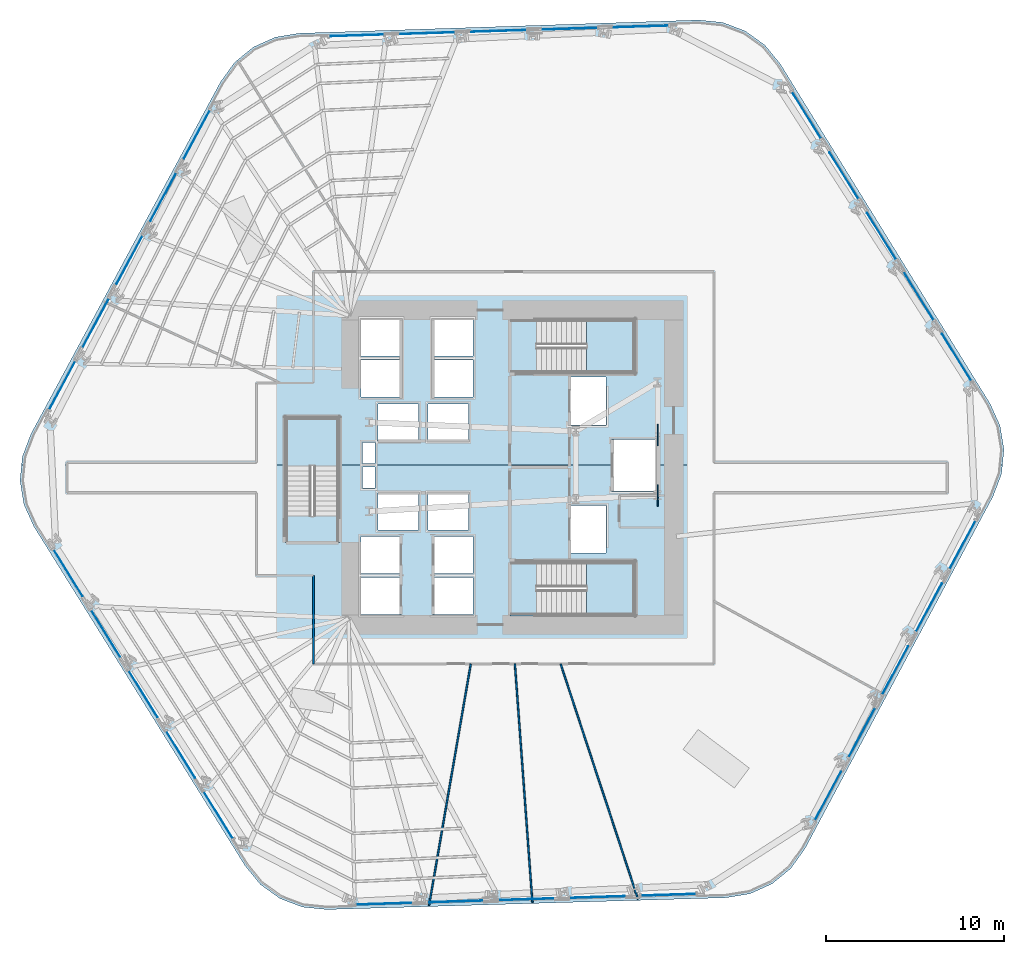
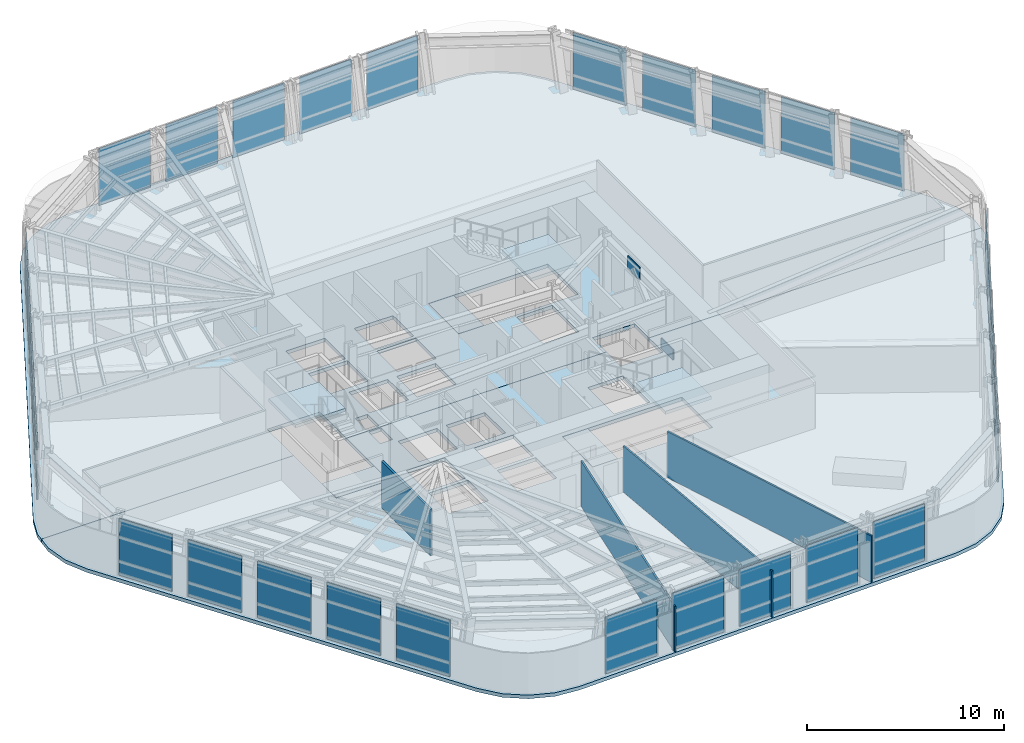
# One storey, part 7 of 15: 32 plates, 8 slabs, 4 walls, 9 elements without a shape of their own.
"""IFC4 building model written with IfcOpenShell, lengths in metres."""

from ifc_helpers import new_model, si_unit, direction, frame, frame_2d, origin, origin_2d, place, context, subcontext, project, spatial, polyline, rectangle, outline, extrude, material, layer, layer_set, type_object, element, aggregate, save


model = new_model("IFC4")

# Units and contexts
model_context = context("Model", 3, precision=1e-05, world=origin(), true_north=direction((0.0, 1.0)))
body_context = subcontext(model_context, "Body", "Model", "MODEL_VIEW")
ifc_project = project(units=[si_unit("LENGTHUNIT", "METRE"), si_unit("AREAUNIT", "SQUARE_METRE"), si_unit("VOLUMEUNIT", "CUBIC_METRE"), si_unit("PLANEANGLEUNIT", "RADIAN"), si_unit("MASSUNIT", "GRAM", prefix="KILO")], contexts=[model_context])

# Site, building, storey
site_placement = place(None, origin())
site = spatial("IfcSite", under=ifc_project, at=site_placement, CompositionType="ELEMENT")
building_placement = place(site_placement, origin())
building = spatial("IfcBuilding", under=site, at=building_placement, Name="Valkerne Bourse Tower", CompositionType="ELEMENT")
storey_placement = place(building_placement, frame((0.0, 0.0, 31.60009765625)))
storey = spatial("IfcBuildingStorey", under=building, at=storey_placement, Name="L07", CompositionType="ELEMENT", Elevation=31.60009765625)

# Curtain wall, plates
ifc_material_1 = material(Name="Aluminium AA 6063-T6", Category="aluminium")
ifc_layer_1 = layer(ifc_material_1, 0.22509765625)
ifc_layer_set_1 = layer_set([ifc_layer_1], Name="Aluminium AA 6063-T6")
curtain_wall_type = type_object("IfcCurtainWallType", Name="CW-01", PredefinedType="NOTDEFINED", material=ifc_layer_set_1)
curtain_wall_1_placement = place(storey_placement, origin())
curtain_wall_1 = element("IfcCurtainWall", 1, at=curtain_wall_1_placement, inside=storey, type_object=curtain_wall_type, Name="L07 Hexagonal Stick Curtain Wall Face 1", PredefinedType="NOTDEFINED")
ifc_material_2 = material(Name="Glass IGU Low-E Double Glazed", Category="glass")
ifc_layer_2 = layer(ifc_material_2, 0.031982421875)
ifc_layer_set_2 = layer_set([ifc_layer_2], Name="Glass IGU Low-E Double Glazed")
plate_type_1 = type_object("IfcPlateType", Name="CW-PNL-IGU-32", PredefinedType="CURTAIN_PANEL", material=ifc_layer_set_2)
plate_1_placement = place(storey_placement, frame((71.72509765625, 33.05078125, 0.02978515625), z_axis=(0.0, 0.0, 1.0), x_axis=(-0.526949791595, 0.849896415534, 0.0)))
plate_1 = element("IfcPlate", 2, at=plate_1_placement, type_object=plate_type_1, Name="CW-L07-F1 Curtain Panel 00", PredefinedType="CURTAIN_PANEL", context=body_context, shape_type="SweptSolid", body=[
    extrude(rectangle(XDim=3.075927734375, YDim=0.031982421875, at=origin_2d()), origin(), (0.0, 0.0, 1.0), 3.52001953125),
])
plate_2_placement = place(storey_placement, frame((69.619384765625, 36.447021484375, 0.02978515625), z_axis=(0.0, 0.0, 1.0), x_axis=(-0.52696099926, 0.849889466495, 0.0)))
plate_2 = element("IfcPlate", 3, at=plate_2_placement, type_object=plate_type_1, Name="CW-L07-F1 Curtain Panel 01", PredefinedType="CURTAIN_PANEL", context=body_context, shape_type="SweptSolid", body=[
    extrude(rectangle(XDim=3.075927734375, YDim=0.031982421875, at=origin_2d()), origin(), (0.0, 0.0, 1.0), 3.52001953125),
])
plate_3_placement = place(storey_placement, frame((67.513671875, 39.843017578125, 0.02978515625), z_axis=(0.0, 0.0, 1.0), x_axis=(-0.52696786733, 0.849885208014, 0.0)))
plate_3 = element("IfcPlate", 4, at=plate_3_placement, type_object=plate_type_1, Name="CW-L07-F1 Curtain Panel 02", PredefinedType="CURTAIN_PANEL", context=body_context, shape_type="SweptSolid", body=[
    extrude(rectangle(XDim=3.075927734375, YDim=0.031982421875, at=origin_2d()), origin(), (0.0, 0.0, 1.0), 3.52001953125),
])
plate_4_placement = place(storey_placement, frame((65.407958984375, 43.2392578125, 0.02978515625), z_axis=(0.0, 0.0, 1.0), x_axis=(-0.526949791595, 0.849896415534, 0.0)))
plate_4 = element("IfcPlate", 5, at=plate_4_placement, type_object=plate_type_1, Name="CW-L07-F1 Curtain Panel 03", PredefinedType="CURTAIN_PANEL", context=body_context, shape_type="SweptSolid", body=[
    extrude(rectangle(XDim=3.075927734375, YDim=0.031982421875, at=origin_2d()), origin(), (0.0, 0.0, 1.0), 3.52001953125),
])
plate_5_placement = place(storey_placement, frame((63.30224609375, 46.635498046875, 0.02978515625), z_axis=(0.0, 0.0, 1.0), x_axis=(-0.52696099926, 0.849889466495, 0.0)))
plate_5 = element("IfcPlate", 6, at=plate_5_placement, type_object=plate_type_1, Name="CW-L07-F1 Curtain Panel 04", PredefinedType="CURTAIN_PANEL", context=body_context, shape_type="SweptSolid", body=[
    extrude(rectangle(XDim=3.075927734375, YDim=0.031982421875, at=origin_2d()), origin(), (0.0, 0.0, 1.0), 3.52001953125),
])
aggregate(curtain_wall_1, [plate_1, plate_2, plate_3, plate_4, plate_5])

curtain_wall_2_placement = place(storey_placement, origin())
curtain_wall_2 = element("IfcCurtainWall", 7, at=curtain_wall_2_placement, inside=storey, type_object=curtain_wall_type, Name="L07 Hexagonal Stick Curtain Wall Face 2", PredefinedType="NOTDEFINED")
plate_6_placement = place(storey_placement, frame((54.0224609375, 51.611083984375, 0.02978515625), z_axis=(0.0, 0.0, 1.0), x_axis=(-0.999506690045, -0.031406632347, 0.0)))
plate_6 = element("IfcPlate", 8, at=plate_6_placement, type_object=plate_type_1, Name="CW-L07-F2 Curtain Panel 00", PredefinedType="CURTAIN_PANEL", context=body_context, shape_type="SweptSolid", body=[
    extrude(rectangle(XDim=3.075927734375, YDim=0.031982421875, at=origin_2d()), origin(), (0.0, 0.0, 1.0), 3.52001953125),
])
plate_7_placement = place(storey_placement, frame((50.0283203125, 51.485595703125, 0.02978515625), z_axis=(0.0, 0.0, 1.0), x_axis=(-0.999506714728, -0.031405846795, 0.0)))
plate_7 = element("IfcPlate", 9, at=plate_7_placement, type_object=plate_type_1, Name="CW-L07-F2 Curtain Panel 01", PredefinedType="CURTAIN_PANEL", context=body_context, shape_type="SweptSolid", body=[
    extrude(rectangle(XDim=3.076171875, YDim=0.031982421875, at=origin_2d()), origin(), (0.0, 0.0, 1.0), 3.52001953125),
])
plate_8_placement = place(storey_placement, frame((46.034423828125, 51.360107421875, 0.02978515625), z_axis=(0.0, 0.0, 1.0), x_axis=(-0.999506690045, -0.031406632347, 0.0)))
plate_8 = element("IfcPlate", 10, at=plate_8_placement, type_object=plate_type_1, Name="CW-L07-F2 Curtain Panel 02", PredefinedType="CURTAIN_PANEL", context=body_context, shape_type="SweptSolid", body=[
    extrude(rectangle(XDim=3.075927734375, YDim=0.031982421875, at=origin_2d()), origin(), (0.0, 0.0, 1.0), 3.52001953125),
])
plate_9_placement = place(storey_placement, frame((42.040283203125, 51.234619140625, 0.02978515625), z_axis=(0.0, 0.0, 1.0), x_axis=(-0.999506690045, -0.031406632347, 0.0)))
plate_9 = element("IfcPlate", 11, at=plate_9_placement, type_object=plate_type_1, Name="CW-L07-F2 Curtain Panel 03", PredefinedType="CURTAIN_PANEL", context=body_context, shape_type="SweptSolid", body=[
    extrude(rectangle(XDim=3.075927734375, YDim=0.031982421875, at=origin_2d()), origin(), (0.0, 0.0, 1.0), 3.52001953125),
])
plate_10_placement = place(storey_placement, frame((38.04638671875, 51.109130859375, 0.02978515625), z_axis=(0.0, 0.0, 1.0), x_axis=(-0.999506690045, -0.031406632347, 0.0)))
plate_10 = element("IfcPlate", 12, at=plate_10_placement, type_object=plate_type_1, Name="CW-L07-F2 Curtain Panel 04", PredefinedType="CURTAIN_PANEL", context=body_context, shape_type="SweptSolid", body=[
    extrude(rectangle(XDim=3.075927734375, YDim=0.031982421875, at=origin_2d()), origin(), (0.0, 0.0, 1.0), 3.52001953125),
])
aggregate(curtain_wall_2, [plate_6, plate_7, plate_8, plate_9, plate_10])

curtain_wall_3_placement = place(storey_placement, origin())
curtain_wall_3 = element("IfcCurtainWall", 13, at=curtain_wall_3_placement, inside=storey, type_object=curtain_wall_type, Name="L07 Hexagonal Stick Curtain Wall Face 3", PredefinedType="NOTDEFINED")
plate_11_placement = place(storey_placement, frame((29.097412109375, 45.560546875, 0.02978515625), z_axis=(0.0, 0.0, 1.0), x_axis=(-0.472547077315, -0.881305429304, 0.0)))
plate_11 = element("IfcPlate", 14, at=plate_11_placement, type_object=plate_type_1, Name="CW-L07-F3 Curtain Panel 00", PredefinedType="CURTAIN_PANEL", context=body_context, shape_type="SweptSolid", body=[
    extrude(rectangle(XDim=3.075927734375, YDim=0.031982421875, at=origin_2d()), origin(), (0.0, 0.0, 1.0), 3.52001953125),
])
plate_12_placement = place(storey_placement, frame((27.208984375, 42.038818359375, 0.02978515625), z_axis=(0.0, 0.0, 1.0), x_axis=(-0.472547077315, -0.881305429304, 0.0)))
plate_12 = element("IfcPlate", 15, at=plate_12_placement, type_object=plate_type_1, Name="CW-L07-F3 Curtain Panel 01", PredefinedType="CURTAIN_PANEL", context=body_context, shape_type="SweptSolid", body=[
    extrude(rectangle(XDim=3.075927734375, YDim=0.031982421875, at=origin_2d()), origin(), (0.0, 0.0, 1.0), 3.52001953125),
])
plate_13_placement = place(storey_placement, frame((25.32080078125, 38.51708984375, 0.02978515625), z_axis=(0.0, 0.0, 1.0), x_axis=(-0.472547077315, -0.881305429304, 0.0)))
plate_13 = element("IfcPlate", 16, at=plate_13_placement, type_object=plate_type_1, Name="CW-L07-F3 Curtain Panel 02", PredefinedType="CURTAIN_PANEL", context=body_context, shape_type="SweptSolid", body=[
    extrude(rectangle(XDim=3.075927734375, YDim=0.031982421875, at=origin_2d()), origin(), (0.0, 0.0, 1.0), 3.52001953125),
])
plate_14_placement = place(storey_placement, frame((23.432373046875, 34.995361328125, 0.02978515625), z_axis=(0.0, 0.0, 1.0), x_axis=(-0.472547077315, -0.881305429304, 0.0)))
plate_14 = element("IfcPlate", 17, at=plate_14_placement, type_object=plate_type_1, Name="CW-L07-F3 Curtain Panel 03", PredefinedType="CURTAIN_PANEL", context=body_context, shape_type="SweptSolid", body=[
    extrude(rectangle(XDim=3.075927734375, YDim=0.031982421875, at=origin_2d()), origin(), (0.0, 0.0, 1.0), 3.52001953125),
])
plate_15_placement = place(storey_placement, frame((21.544189453125, 31.4736328125, 0.02978515625), z_axis=(0.0, 0.0, 1.0), x_axis=(-0.472547077315, -0.881305429304, 0.0)))
plate_15 = element("IfcPlate", 18, at=plate_15_placement, type_object=plate_type_1, Name="CW-L07-F3 Curtain Panel 04", PredefinedType="CURTAIN_PANEL", context=body_context, shape_type="SweptSolid", body=[
    extrude(rectangle(XDim=3.075927734375, YDim=0.031982421875, at=origin_2d()), origin(), (0.0, 0.0, 1.0), 3.52001953125),
])
aggregate(curtain_wall_3, [plate_11, plate_12, plate_13, plate_14, plate_15])

curtain_wall_4_placement = place(storey_placement, origin())
curtain_wall_4 = element("IfcCurtainWall", 19, at=curtain_wall_4_placement, inside=storey, type_object=curtain_wall_type, Name="L07 Hexagonal Stick Curtain Wall Face 4", PredefinedType="NOTDEFINED")
plate_16_placement = place(storey_placement, frame((21.874755859375, 20.94921875, 0.02978515625), z_axis=(0.0, 0.0, 1.0), x_axis=(0.526949791595, -0.849896415534, 0.0)))
plate_16 = element("IfcPlate", 20, at=plate_16_placement, type_object=plate_type_1, Name="CW-L07-F4 Curtain Panel 00", PredefinedType="CURTAIN_PANEL", context=body_context, shape_type="SweptSolid", body=[
    extrude(rectangle(XDim=3.075927734375, YDim=0.031982421875, at=origin_2d()), origin(), (0.0, 0.0, 1.0), 3.52001953125),
])
plate_17_placement = place(storey_placement, frame((23.98046875, 17.552978515625, 0.02978515625), z_axis=(0.0, 0.0, 1.0), x_axis=(0.52696099926, -0.849889466495, 0.0)))
plate_17 = element("IfcPlate", 21, at=plate_17_placement, type_object=plate_type_1, Name="CW-L07-F4 Curtain Panel 01", PredefinedType="CURTAIN_PANEL", context=body_context, shape_type="SweptSolid", body=[
    extrude(rectangle(XDim=3.075927734375, YDim=0.031982421875, at=origin_2d()), origin(), (0.0, 0.0, 1.0), 3.52001953125),
])
plate_18_placement = place(storey_placement, frame((26.086181640625, 14.156982421875, 0.02978515625), z_axis=(0.0, 0.0, 1.0), x_axis=(0.52696786733, -0.849885208014, 0.0)))
plate_18 = element("IfcPlate", 22, at=plate_18_placement, type_object=plate_type_1, Name="CW-L07-F4 Curtain Panel 02", PredefinedType="CURTAIN_PANEL", context=body_context, shape_type="SweptSolid", body=[
    extrude(rectangle(XDim=3.075927734375, YDim=0.031982421875, at=origin_2d()), origin(), (0.0, 0.0, 1.0), 3.52001953125),
])
plate_19_placement = place(storey_placement, frame((28.19189453125, 10.7607421875, 0.02978515625), z_axis=(0.0, 0.0, 1.0), x_axis=(0.526949791595, -0.849896415534, 0.0)))
plate_19 = element("IfcPlate", 23, at=plate_19_placement, type_object=plate_type_1, Name="CW-L07-F4 Curtain Panel 03", PredefinedType="CURTAIN_PANEL", context=body_context, shape_type="SweptSolid", body=[
    extrude(rectangle(XDim=3.075927734375, YDim=0.031982421875, at=origin_2d()), origin(), (0.0, 0.0, 1.0), 3.52001953125),
])
plate_20_placement = place(storey_placement, frame((30.297607421875, 7.364501953125, 0.02978515625), z_axis=(0.0, 0.0, 1.0), x_axis=(0.52696099926, -0.849889466495, 0.0)))
plate_20 = element("IfcPlate", 24, at=plate_20_placement, type_object=plate_type_1, Name="CW-L07-F4 Curtain Panel 04", PredefinedType="CURTAIN_PANEL", context=body_context, shape_type="SweptSolid", body=[
    extrude(rectangle(XDim=3.075927734375, YDim=0.031982421875, at=origin_2d()), origin(), (0.0, 0.0, 1.0), 3.52001953125),
])
aggregate(curtain_wall_4, [plate_16, plate_17, plate_18, plate_19, plate_20])

curtain_wall_5_placement = place(storey_placement, origin())
curtain_wall_5 = element("IfcCurtainWall", 25, at=curtain_wall_5_placement, inside=storey, type_object=curtain_wall_type, Name="L07 Hexagonal Stick Curtain Wall Face 5", PredefinedType="NOTDEFINED")
plate_21_placement = place(storey_placement, frame((39.577392578125, 2.388916015625, 0.02978515625), z_axis=(0.0, 0.0, 1.0), x_axis=(0.999506690045, 0.031406632347, 0.0)))
plate_21 = element("IfcPlate", 26, at=plate_21_placement, type_object=plate_type_1, Name="CW-L07-F5 Curtain Panel 00", PredefinedType="CURTAIN_PANEL", context=body_context, shape_type="SweptSolid", body=[
    extrude(rectangle(XDim=3.075927734375, YDim=0.031982421875, at=origin_2d()), origin(), (0.0, 0.0, 1.0), 3.52001953125),
])
plate_22_placement = place(storey_placement, frame((43.571533203125, 2.514404296875, 0.02978515625), z_axis=(0.0, 0.0, 1.0), x_axis=(0.999506714728, 0.031405846795, 0.0)))
plate_22 = element("IfcPlate", 27, at=plate_22_placement, type_object=plate_type_1, Name="CW-L07-F5 Curtain Panel 01", PredefinedType="CURTAIN_PANEL", context=body_context, shape_type="SweptSolid", body=[
    extrude(rectangle(XDim=3.076171875, YDim=0.031982421875, at=origin_2d()), origin(), (0.0, 0.0, 1.0), 3.52001953125),
])
plate_23_placement = place(storey_placement, frame((47.565673828125, 2.639892578125, 0.02978515625), z_axis=(0.0, 0.0, 1.0), x_axis=(0.999506690045, 0.031406632347, 0.0)))
plate_23 = element("IfcPlate", 28, at=plate_23_placement, type_object=plate_type_1, Name="CW-L07-F5 Curtain Panel 02", PredefinedType="CURTAIN_PANEL", context=body_context, shape_type="SweptSolid", body=[
    extrude(rectangle(XDim=3.075927734375, YDim=0.031982421875, at=origin_2d()), origin(), (0.0, 0.0, 1.0), 3.52001953125),
])
plate_24_placement = place(storey_placement, frame((51.5595703125, 2.765380859375, 0.02978515625), z_axis=(0.0, 0.0, 1.0), x_axis=(0.999506690045, 0.031406632347, 0.0)))
plate_24 = element("IfcPlate", 29, at=plate_24_placement, type_object=plate_type_1, Name="CW-L07-F5 Curtain Panel 03", PredefinedType="CURTAIN_PANEL", context=body_context, shape_type="SweptSolid", body=[
    extrude(rectangle(XDim=3.075927734375, YDim=0.031982421875, at=origin_2d()), origin(), (0.0, 0.0, 1.0), 3.52001953125),
])
plate_25_placement = place(storey_placement, frame((55.5537109375, 2.890869140625, 0.02978515625), z_axis=(0.0, 0.0, 1.0), x_axis=(0.999506690045, 0.031406632347, 0.0)))
plate_25 = element("IfcPlate", 30, at=plate_25_placement, type_object=plate_type_1, Name="CW-L07-F5 Curtain Panel 04", PredefinedType="CURTAIN_PANEL", context=body_context, shape_type="SweptSolid", body=[
    extrude(rectangle(XDim=3.075927734375, YDim=0.031982421875, at=origin_2d()), origin(), (0.0, 0.0, 1.0), 3.52001953125),
])
aggregate(curtain_wall_5, [plate_21, plate_22, plate_23, plate_24, plate_25])

curtain_wall_6_placement = place(storey_placement, origin())
curtain_wall_6 = element("IfcCurtainWall", 31, at=curtain_wall_6_placement, inside=storey, type_object=curtain_wall_type, Name="L07 Hexagonal Stick Curtain Wall Face 6", PredefinedType="NOTDEFINED")
plate_26_placement = place(storey_placement, frame((64.502685546875, 8.439453125, 0.02978515625), z_axis=(0.0, 0.0, 1.0), x_axis=(0.472547077315, 0.881305429304, 0.0)))
plate_26 = element("IfcPlate", 32, at=plate_26_placement, type_object=plate_type_1, Name="CW-L07-F6 Curtain Panel 00", PredefinedType="CURTAIN_PANEL", context=body_context, shape_type="SweptSolid", body=[
    extrude(rectangle(XDim=3.075927734375, YDim=0.031982421875, at=origin_2d()), origin(), (0.0, 0.0, 1.0), 3.52001953125),
])
plate_27_placement = place(storey_placement, frame((66.39111328125, 11.961181640625, 0.02978515625), z_axis=(0.0, 0.0, 1.0), x_axis=(0.472547077315, 0.881305429304, 0.0)))
plate_27 = element("IfcPlate", 33, at=plate_27_placement, type_object=plate_type_1, Name="CW-L07-F6 Curtain Panel 01", PredefinedType="CURTAIN_PANEL", context=body_context, shape_type="SweptSolid", body=[
    extrude(rectangle(XDim=3.075927734375, YDim=0.031982421875, at=origin_2d()), origin(), (0.0, 0.0, 1.0), 3.52001953125),
])
plate_28_placement = place(storey_placement, frame((68.279296875, 15.48291015625, 0.02978515625), z_axis=(0.0, 0.0, 1.0), x_axis=(0.472547077315, 0.881305429304, 0.0)))
plate_28 = element("IfcPlate", 34, at=plate_28_placement, type_object=plate_type_1, Name="CW-L07-F6 Curtain Panel 02", PredefinedType="CURTAIN_PANEL", context=body_context, shape_type="SweptSolid", body=[
    extrude(rectangle(XDim=3.075927734375, YDim=0.031982421875, at=origin_2d()), origin(), (0.0, 0.0, 1.0), 3.52001953125),
])
plate_29_placement = place(storey_placement, frame((70.16748046875, 19.004638671875, 0.02978515625), z_axis=(0.0, 0.0, 1.0), x_axis=(0.472547077315, 0.881305429304, 0.0)))
plate_29 = element("IfcPlate", 35, at=plate_29_placement, type_object=plate_type_1, Name="CW-L07-F6 Curtain Panel 03", PredefinedType="CURTAIN_PANEL", context=body_context, shape_type="SweptSolid", body=[
    extrude(rectangle(XDim=3.075927734375, YDim=0.031982421875, at=origin_2d()), origin(), (0.0, 0.0, 1.0), 3.52001953125),
])
plate_30_placement = place(storey_placement, frame((72.055908203125, 22.5263671875, 0.02978515625), z_axis=(0.0, 0.0, 1.0), x_axis=(0.472547077315, 0.881305429304, 0.0)))
plate_30 = element("IfcPlate", 36, at=plate_30_placement, type_object=plate_type_1, Name="CW-L07-F6 Curtain Panel 04", PredefinedType="CURTAIN_PANEL", context=body_context, shape_type="SweptSolid", body=[
    extrude(rectangle(XDim=3.075927734375, YDim=0.031982421875, at=origin_2d()), origin(), (0.0, 0.0, 1.0), 3.52001953125),
])
aggregate(curtain_wall_6, [plate_26, plate_27, plate_28, plate_29, plate_30])

# Plates
ifc_material_3 = material(Name="Steel ASTM A572 Grade 50", Category="steel")
ifc_layer_3 = layer(ifc_material_3, 0.06005859375)
ifc_layer_set_3 = layer_set([ifc_layer_3], Name="Steel ASTM A572 Grade 50")
plate_type_2 = type_object("IfcPlateType", Name="PLT-GUS-60", PredefinedType="SHEET", material=ifc_layer_set_3)
for number, where, z_axis, x_axis, name in (
    (37, (54.949951171875, 25.300048828125, -0.18017578125), (0.0, 0.0, 1.0), (0.0, 1.0, 0.0), "L07 Brace Node Gusset Plate PLT-GUS-END-L07-330"),
    (38, (54.949951171875, 28.699951171875, 2.8740234375), (0.0, 0.0, 1.0), (0.0, 1.0, 0.0), "L07 Brace Node Gusset Plate PLT-GUS-END-L07-331"),
):
    element("IfcPlate", number, at=place(storey_placement, frame(where, z_axis=z_axis, x_axis=x_axis)), inside=storey, type_object=plate_type_2, Name=name, PredefinedType="SHEET", context=body_context, shape_type="SweptSolid", body=[
        extrude(rectangle(XDim=1.199951171875, YDim=0.06005859375, at=origin_2d()), origin(), (0.0, 0.0, 1.0), 0.800048828125),
    ])

# Slabs
ifc_material_4 = material(Name="Concrete C40/50", Category="concrete")
ifc_layer_4 = layer(ifc_material_4, 0.25)
ifc_layer_set_4 = layer_set([ifc_layer_4], Name="Concrete C40/50")
slab_type_1 = type_object("IfcSlabType", Name="SLB-RMP-LND-250", PredefinedType="LANDING", material=ifc_layer_set_4)
slab_1_placement = place(storey_placement, frame((0.0, 0.0, -0.22021484375)))
element("IfcSlab", 39, at=slab_1_placement, inside=storey, type_object=slab_type_1, Name="L07 ST-1 Floor Landing Slab", PredefinedType="LANDING", context=body_context, shape_type="SweptSolid", body=[
    extrude(outline(polyline([(46.669921875, 18.5400390625), (48.14990234375, 18.5400390625), (48.14990234375, 21.610107421875), (46.669921875, 21.610107421875), (46.669921875, 18.5400390625)])), origin(), (0.0, 0.0, 1.0), 0.22021484375),
])
slab_2_placement = place(storey_placement, frame((0.0, 0.0, -0.22021484375)))
element("IfcSlab", 40, at=slab_2_placement, inside=storey, type_object=slab_type_1, Name="L07 ST-2 Floor Landing Slab", PredefinedType="LANDING", context=body_context, shape_type="SweptSolid", body=[
    extrude(outline(polyline([(46.669921875, 32.139892578125), (48.14990234375, 32.139892578125), (48.14990234375, 35.2099609375), (46.669921875, 35.2099609375), (46.669921875, 32.139892578125)])), origin(), (0.0, 0.0, 1.0), 0.22021484375),
])
slab_3_placement = place(storey_placement, frame((0.0, 0.0, -0.22021484375)))
element("IfcSlab", 41, at=slab_3_placement, inside=storey, type_object=slab_type_1, Name="L07 ST-3 Floor Landing Slab", PredefinedType="LANDING", context=body_context, shape_type="SweptSolid", body=[
    extrude(outline(polyline([(37.110107421875, 22.669921875), (37.110107421875, 24.14990234375), (34.0400390625, 24.14990234375), (34.0400390625, 22.669921875), (37.110107421875, 22.669921875)])), origin(), (0.0, 0.0, 1.0), 0.22021484375),
])

# Stair, slab
stair_type = type_object("IfcStairType", Name="ST-CORE-1400", PredefinedType="HALF_TURN_STAIR", material=ifc_material_4)
stair_1_placement = place(storey_placement, origin())
stair_1 = element("IfcStair", 42, at=stair_1_placement, inside=storey, type_object=stair_type, Name="L07 ST-1", PredefinedType="HALF_TURN_STAIR")
ifc_layer_5 = layer(ifc_material_4, 0.179931640625)
ifc_layer_set_5 = layer_set([ifc_layer_5], Name="Concrete C40/50")
slab_type_2 = type_object("IfcSlabType", Name="SLB-ST-LND-180", PredefinedType="LANDING", material=ifc_layer_set_5)
slab_4_placement = place(storey_placement, frame((0.0, 0.0, 1.699951171875)))
slab_4 = element("IfcSlab", 43, at=slab_4_placement, type_object=slab_type_2, Name="ST-1 landing 1", PredefinedType="LANDING", context=body_context, shape_type="SweptSolid", body=[
    extrude(outline(polyline([(50.949951171875, 18.60009765625), (53.64990234375, 18.60009765625), (53.64990234375, 21.550048828125), (50.949951171875, 21.550048828125), (50.949951171875, 18.60009765625)])), origin(), (0.0, 0.0, 1.0), 0.199951171875),
])
aggregate(stair_1, [slab_4])

stair_2_placement = place(storey_placement, origin())
stair_2 = element("IfcStair", 44, at=stair_2_placement, inside=storey, type_object=stair_type, Name="L07 ST-2", PredefinedType="HALF_TURN_STAIR")
slab_5_placement = place(storey_placement, frame((0.0, 0.0, 1.699951171875)))
slab_5 = element("IfcSlab", 45, at=slab_5_placement, type_object=slab_type_2, Name="ST-2 landing 1", PredefinedType="LANDING", context=body_context, shape_type="SweptSolid", body=[
    extrude(outline(polyline([(50.949951171875, 32.199951171875), (53.64990234375, 32.199951171875), (53.64990234375, 35.14990234375), (50.949951171875, 35.14990234375), (50.949951171875, 32.199951171875)])), origin(), (0.0, 0.0, 1.0), 0.199951171875),
])
aggregate(stair_2, [slab_5])

stair_3_placement = place(storey_placement, origin())
stair_3 = element("IfcStair", 46, at=stair_3_placement, inside=storey, type_object=stair_type, Name="L07 ST-3", PredefinedType="HALF_TURN_STAIR")
slab_6_placement = place(storey_placement, frame((0.0, 0.0, 1.699951171875)))
slab_6 = element("IfcSlab", 47, at=slab_6_placement, type_object=slab_type_2, Name="ST-3 landing 1", PredefinedType="LANDING", context=body_context, shape_type="SweptSolid", body=[
    extrude(outline(polyline([(37.050048828125, 26.949951171875), (37.050048828125, 29.64990234375), (34.10009765625, 29.64990234375), (34.10009765625, 26.949951171875), (37.050048828125, 26.949951171875)])), origin(), (0.0, 0.0, 1.0), 0.199951171875),
])
aggregate(stair_3, [slab_6])

# Slabs
ifc_layer_6 = layer(ifc_material_4, 0.219970703125)
ifc_layer_set_6 = layer_set([ifc_layer_6], Name="Concrete C40/50")
slab_type_3 = type_object("IfcSlabType", Name="SLB-TOW-220", PredefinedType="FLOOR", material=ifc_layer_set_6)
slab_7_placement = place(storey_placement, frame((0.0, 0.0, -0.22021484375)))
element("IfcSlab", 48, at=slab_7_placement, inside=storey, type_object=slab_type_3, Name="L07 Hexagonal Composite Floor Slab S", PredefinedType="FLOOR", context=body_context, shape_type="SweptSolid", body=[
    extrude(outline(polyline([(62.416748046875, 4.36669921875), (61.3662109375, 3.507080078125), (60.12890625, 2.948486328125), (58.789306640625, 2.72900390625), (36.38037109375, 2.065185546875), (35.029541015625, 2.2001953125), (33.759765625, 2.679931640625), (32.6572265625, 3.47216796875), (31.797607421875, 4.5224609375), (19.949462890625, 23.554931640625), (19.390869140625, 24.7919921875), (19.17138671875, 26.131591796875), (19.258056640625, 27.0), (34.034912109375, 27.0), (34.034912109375, 22.6650390625), (37.114990234375, 22.6650390625), (37.114990234375, 27.0), (52.360107421875, 27.0), (52.360107421875, 25.56005859375), (54.840087890625, 25.56005859375), (54.840087890625, 27.0), (74.29541015625, 27.0), (74.2470703125, 26.51611328125), (73.767333984375, 25.24609375), (63.208984375, 5.46923828125), (62.416748046875, 4.36669921875)]), holes=[polyline([(40.590087890625, 20.68994140625), (38.31005859375, 20.68994140625), (38.31005859375, 18.610107421875), (40.590087890625, 18.610107421875), (40.590087890625, 20.68994140625)]), polyline([(40.590087890625, 22.989990234375), (38.31005859375, 22.989990234375), (38.31005859375, 20.909912109375), (40.590087890625, 20.909912109375), (40.590087890625, 22.989990234375)]), polyline([(41.5400390625, 25.43994140625), (39.260009765625, 25.43994140625), (39.260009765625, 23.360107421875), (41.5400390625, 23.360107421875), (41.5400390625, 25.43994140625)]), polyline([(39.10009765625, 25.72998046875), (39.10009765625, 26.89990234375), (38.3798828125, 26.89990234375), (38.3798828125, 25.72998046875), (39.10009765625, 25.72998046875)]), polyline([(44.590087890625, 20.68994140625), (42.31005859375, 20.68994140625), (42.31005859375, 18.610107421875), (44.590087890625, 18.610107421875), (44.590087890625, 20.68994140625)]), polyline([(53.675048828125, 21.614990234375), (46.6650390625, 21.614990234375), (46.6650390625, 18.534912109375), (53.675048828125, 18.534912109375), (53.675048828125, 21.614990234375)]), polyline([(44.590087890625, 22.989990234375), (42.31005859375, 22.989990234375), (42.31005859375, 20.909912109375), (44.590087890625, 20.909912109375), (44.590087890625, 22.989990234375)]), polyline([(52.0400390625, 22.06005859375), (52.0400390625, 24.739990234375), (49.9599609375, 24.739990234375), (49.9599609375, 22.06005859375), (52.0400390625, 22.06005859375)]), polyline([(44.340087890625, 23.360107421875), (44.340087890625, 25.43994140625), (42.06005859375, 25.43994140625), (42.06005859375, 23.360107421875), (44.340087890625, 23.360107421875)])]), origin(), (0.0, 0.0, 1.0), 0.22021484375),
])
slab_8_placement = place(storey_placement, frame((0.0, 0.0, -0.22021484375)))
element("IfcSlab", 49, at=slab_8_placement, inside=storey, type_object=slab_type_3, Name="L07 Hexagonal Composite Floor Slab N", PredefinedType="FLOOR", context=body_context, shape_type="SweptSolid", body=[
    extrude(outline(polyline([(19.30615234375, 27.482421875), (19.785888671875, 28.752197265625), (30.415771484375, 48.4912109375), (31.2080078125, 49.593505859375), (32.25830078125, 50.453369140625), (33.49560546875, 51.011962890625), (34.835205078125, 51.231201171875), (57.24169921875, 51.975830078125), (58.592529296875, 51.841064453125), (59.8623046875, 51.361083984375), (60.96484375, 50.569091796875), (61.824462890625, 49.5185546875), (73.60400390625, 30.443603515625), (74.16259765625, 29.206298828125), (74.3818359375, 27.86669921875), (74.29541015625, 27.0), (54.840087890625, 27.0), (54.840087890625, 28.43994140625), (52.360107421875, 28.43994140625), (52.360107421875, 27.0), (37.114990234375, 27.0), (37.114990234375, 29.675048828125), (34.034912109375, 29.675048828125), (34.034912109375, 27.0), (19.258056640625, 27.0), (19.30615234375, 27.482421875)]), holes=[polyline([(39.10009765625, 28.27001953125), (38.3798828125, 28.27001953125), (38.3798828125, 27.10009765625), (39.10009765625, 27.10009765625), (39.10009765625, 28.27001953125)]), polyline([(41.5400390625, 30.43994140625), (39.260009765625, 30.43994140625), (39.260009765625, 28.360107421875), (41.5400390625, 28.360107421875), (41.5400390625, 30.43994140625)]), polyline([(44.340087890625, 30.43994140625), (42.06005859375, 30.43994140625), (42.06005859375, 28.360107421875), (44.340087890625, 28.360107421875), (44.340087890625, 30.43994140625)]), polyline([(40.590087890625, 30.81005859375), (40.590087890625, 32.889892578125), (38.31005859375, 32.889892578125), (38.31005859375, 30.81005859375), (40.590087890625, 30.81005859375)]), polyline([(40.590087890625, 33.110107421875), (40.590087890625, 35.18994140625), (38.31005859375, 35.18994140625), (38.31005859375, 33.110107421875), (40.590087890625, 33.110107421875)]), polyline([(52.0400390625, 31.93994140625), (49.9599609375, 31.93994140625), (49.9599609375, 29.260009765625), (52.0400390625, 29.260009765625), (52.0400390625, 31.93994140625)]), polyline([(44.590087890625, 32.889892578125), (42.31005859375, 32.889892578125), (42.31005859375, 30.81005859375), (44.590087890625, 30.81005859375), (44.590087890625, 32.889892578125)]), polyline([(53.675048828125, 32.135009765625), (53.675048828125, 35.215087890625), (46.6650390625, 35.215087890625), (46.6650390625, 32.135009765625), (53.675048828125, 32.135009765625)]), polyline([(44.590087890625, 33.110107421875), (44.590087890625, 35.18994140625), (42.31005859375, 35.18994140625), (42.31005859375, 33.110107421875), (44.590087890625, 33.110107421875)])]), origin(), (0.0, 0.0, 1.0), 0.22021484375),
])

# Walls
ifc_material_5 = material(Name="Gypsum Board Steel-Stud Partition", Category="steel")
ifc_layer_7 = layer(ifc_material_5, 0.117919921875)
ifc_layer_set_7 = layer_set([ifc_layer_7], Name="Gypsum Board Steel-Stud Partition")
wall_type_1 = type_object("IfcWallType", Name="W-CORR-140", PredefinedType="PARTITIONING", material=ifc_layer_set_7)
wall_1_placement = place(storey_placement, frame((35.64990234375, 15.85009765625, 0.0), z_axis=(0.0, 0.0, 1.0), x_axis=(0.0, 1.0, 0.0)))
element("IfcWall", 50, at=wall_1_placement, inside=storey, type_object=wall_type_1, Name="L07 Corridor Enclosure Wall", PredefinedType="PARTITIONING", context=body_context, shape_type="SweptSolid", body=[
    extrude(rectangle(XDim=4.949951171875, YDim=0.117919921875, at=frame_2d((2.47509765625, 0.0))), origin(), (0.0, 0.0, 1.0), 2.87646484375),
])
ifc_layer_8 = layer(ifc_material_5, 0.092041015625)
ifc_layer_set_8 = layer_set([ifc_layer_8], Name="Gypsum Board Steel-Stud Partition")
wall_type_2 = type_object("IfcWallType", Name="W-PART-115", PredefinedType="PARTITIONING", material=ifc_layer_set_8)
wall_2_placement = place(storey_placement, frame((44.463134765625, 15.844970703125, 0.0), z_axis=(0.0, 0.0, 1.0), x_axis=(-0.170205014247, -0.985408673153, 0.0)))
element("IfcWall", 51, at=wall_2_placement, inside=storey, type_object=wall_type_2, Name="L07 Suite Partition P01", PredefinedType="PARTITIONING", context=body_context, shape_type="SweptSolid", body=[
    extrude(rectangle(XDim=13.739990234375, YDim=0.092041015625, at=frame_2d((6.8701171875, 0.0))), origin(), (0.0, 0.0, 1.0), 2.80029296875),
])
wall_3_placement = place(storey_placement, frame((46.9384765625, 15.844970703125, 0.0), z_axis=(0.0, 0.0, 1.0), x_axis=(0.073240327353, -0.997314320788, 0.0)))
element("IfcWall", 52, at=wall_3_placement, inside=storey, type_object=wall_type_2, Name="L07 Suite Partition P02", PredefinedType="PARTITIONING", context=body_context, shape_type="SweptSolid", body=[
    extrude(rectangle(XDim=13.403564453125, YDim=0.092041015625, at=frame_2d((6.70166015625, 0.0))), origin(), (0.0, 0.0, 1.0), 2.86376953125),
])
wall_4_placement = place(storey_placement, frame((49.505859375, 15.844970703125, 0.0), z_axis=(0.0, 0.0, 1.0), x_axis=(0.312332811041, -0.949972744423, 0.0)))
element("IfcWall", 53, at=wall_4_placement, inside=storey, type_object=wall_type_2, Name="L07 Suite Partition P03", PredefinedType="PARTITIONING", context=body_context, shape_type="SweptSolid", body=[
    extrude(rectangle(XDim=13.88720703125, YDim=0.092041015625, at=frame_2d((6.943603515625, 0.0))), origin(), (0.0, 0.0, 1.0), 2.86376953125),
])

save(model, "model.ifc")
